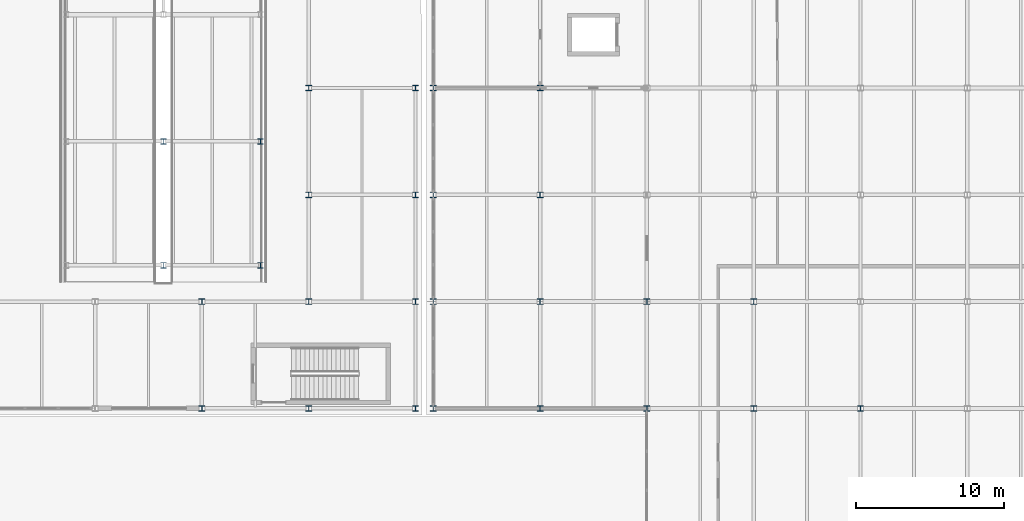
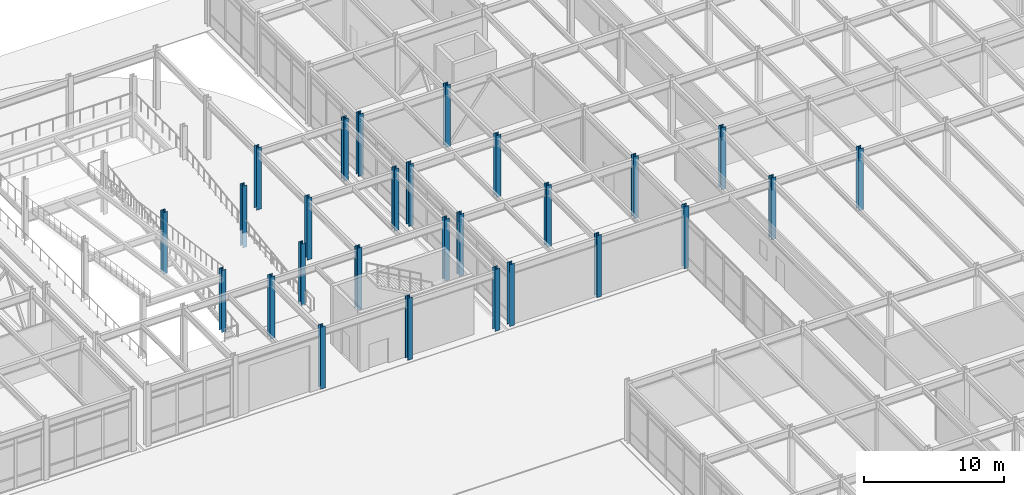
# One storey, part 15 of 104: 27 columns.
"""IFC4 building model written with IfcOpenShell, lengths in metres."""

from ifc_helpers import new_model, si_unit, direction, frame, origin, origin_2d, place, context, subcontext, project, spatial, i_section, extrude, material, material_profile, profile_set, type_object, element, save


model = new_model("IFC4")

# Units and contexts
model_context = context("Model", 3, precision=1e-05, world=origin(), true_north=direction((0.0, 1.0)))
body_context = subcontext(model_context, "Body", "Model", "MODEL_VIEW")
ifc_project = project(units=[si_unit("LENGTHUNIT", "METRE"), si_unit("AREAUNIT", "SQUARE_METRE"), si_unit("VOLUMEUNIT", "CUBIC_METRE"), si_unit("PLANEANGLEUNIT", "RADIAN"), si_unit("MASSUNIT", "GRAM", prefix="KILO")], contexts=[model_context])

# Site, building, storey
site_placement = place(None, origin())
site = spatial("IfcSite", under=ifc_project, at=site_placement, CompositionType="ELEMENT")
building_placement = place(site_placement, origin())
building = spatial("IfcBuilding", under=site, at=building_placement, Name="Vaelcorin Mobility Hub", CompositionType="ELEMENT")
storey_placement = place(building_placement, origin())
storey = spatial("IfcBuildingStorey", under=building, at=storey_placement, Name="L00", CompositionType="ELEMENT", Elevation=0.0)

# Columns
ifc_material = material(Name="Steel ASTM A992 Grade 50", Category="steel")
ifc_material_profile_1 = material_profile(ifc_material, i_section(OverallWidth=0.373046875, OverallDepth=0.373046875, WebThickness=0.016357421875, FlangeThickness=0.026123046875, FilletRadius=0.014892578125, at=origin_2d()), Name="W14X132")
ifc_profile_set_1 = profile_set([ifc_material_profile_1], Name="Steel ASTM A992 Grade 50")
column_type_1 = type_object("IfcColumnType", Name="COL-W14X132", PredefinedType="COLUMN", material=ifc_profile_set_1)
for number, where, z_axis, x_axis, name in (
    (1, (135.39990234375, 86.449951171875, 0.0), (0.0, 0.0, 1.0), (1.0, 0.0, 0.0), "Column V2E-RDRM-MS L00"),
    (2, (141.949951171875, 86.449951171875, 0.0), (0.0, 0.0, 1.0), (1.0, 0.0, 0.0), "Column V2E-RDRM-ES L00"),
    (3, (135.39990234375, 94.800048828125, 0.0), (0.0, 0.0, 1.0), (1.0, 0.0, 0.0), "Column V2E-RDRM-MC L00"),
    (4, (141.949951171875, 94.800048828125, 0.0), (0.0, 0.0, 1.0), (1.0, 0.0, 0.0), "Column V2E-RDRM-EC L00"),
):
    element("IfcColumn", number, at=place(storey_placement, frame(where, z_axis=z_axis, x_axis=x_axis)), inside=storey, type_object=column_type_1, Name=name, PredefinedType="COLUMN", context=body_context, shape_type="SweptSolid", body=[
        extrude(i_section(OverallWidth=0.373046875, OverallDepth=0.373046875, WebThickness=0.016357421875, FlangeThickness=0.026123046875, FilletRadius=0.014892578125, at=origin_2d()), origin(), (0.0, 0.0, 1.0), 5.39990234375),
    ])
ifc_material_profile_2 = material_profile(ifc_material, i_section(OverallWidth=0.39599609375, OverallDepth=0.381103515625, WebThickness=0.018798828125, FlangeThickness=0.0302734375, FilletRadius=0.014892578125, at=origin_2d()), Name="W14X159")
ifc_profile_set_2 = profile_set([ifc_material_profile_2], Name="Steel ASTM A992 Grade 50")
column_type_2 = type_object("IfcColumnType", Name="COL-W14X159", PredefinedType="COLUMN", material=ifc_profile_set_2)
for number, where, z_axis, x_axis, name in (
    (5, (138.0, 76.800048828125, 0.0), (0.0, 0.0, 1.0), (1.0, 0.0, 0.0), "Column V2E-G3x1 L00"),
    (6, (138.0, 84.0, 0.0), (0.0, 0.0, 1.0), (1.0, 0.0, 0.0), "Column V2E-G3x2 L00"),
    (7, (145.199951171875, 76.800048828125, 0.0), (0.0, 0.0, 1.0), (1.0, 0.0, 0.0), "Column V2E-G4x1 L00"),
    (8, (145.199951171875, 84.0, 0.0), (0.0, 0.0, 1.0), (1.0, 0.0, 0.0), "Column V2E-G4x2 L00"),
    (9, (145.199951171875, 91.199951171875, 0.0), (0.0, 0.0, 1.0), (1.0, 0.0, 0.0), "Column V2E-G4x3 L00"),
    (10, (145.199951171875, 98.39990234375, 0.0), (0.0, 0.0, 1.0), (1.0, 0.0, 0.0), "Column V2E-G4x4 L00"),
    (11, (152.39990234375, 76.800048828125, 0.0), (0.0, 0.0, 1.0), (1.0, 0.0, 0.0), "Column V2E-G5x1 L00"),
    (12, (152.39990234375, 84.0, 0.0), (0.0, 0.0, 1.0), (1.0, 0.0, 0.0), "Column V2E-G5x2 L00"),
    (13, (152.39990234375, 91.199951171875, 0.0), (0.0, 0.0, 1.0), (1.0, 0.0, 0.0), "Column V2E-G5x3 L00"),
    (14, (152.39990234375, 98.39990234375, 0.0), (0.0, 0.0, 1.0), (1.0, 0.0, 0.0), "Column V2E-G5x4 L00"),
    (15, (153.60009765625, 76.800048828125, 0.0), (0.0, 0.0, 1.0), (1.0, 0.0, 0.0), "Column V5-X01Y09 L00"),
    (16, (153.60009765625, 84.0, 0.0), (0.0, 0.0, 1.0), (1.0, 0.0, 0.0), "Column V5-X01Y10 L00"),
    (17, (153.60009765625, 91.199951171875, 0.0), (0.0, 0.0, 1.0), (1.0, 0.0, 0.0), "Column V5-X01Y11 L00"),
    (18, (153.60009765625, 98.39990234375, 0.0), (0.0, 0.0, 1.0), (1.0, 0.0, 0.0), "Column V5-X01Y12 L00"),
    (19, (160.800048828125, 76.800048828125, 0.0), (0.0, 0.0, 1.0), (1.0, 0.0, 0.0), "Column V5-X02Y09 L00"),
    (20, (160.800048828125, 84.0, 0.0), (0.0, 0.0, 1.0), (1.0, 0.0, 0.0), "Column V5-X02Y10 L00"),
    (21, (160.800048828125, 91.199951171875, 0.0), (0.0, 0.0, 1.0), (1.0, 0.0, 0.0), "Column V5-X02Y11 L00"),
    (22, (160.800048828125, 98.39990234375, 0.0), (0.0, 0.0, 1.0), (1.0, 0.0, 0.0), "Column V5-X02Y12 L00"),
    (23, (168.0, 76.800048828125, 0.0), (0.0, 0.0, 1.0), (1.0, 0.0, 0.0), "Column V5-X03Y09 L00"),
    (24, (168.0, 84.0, 0.0), (0.0, 0.0, 1.0), (1.0, 0.0, 0.0), "Column V5-X03Y10 L00"),
    (25, (175.199951171875, 76.800048828125, 0.0), (0.0, 0.0, 1.0), (1.0, 0.0, 0.0), "Column V5-X04Y09 L00"),
    (26, (175.199951171875, 84.0, 0.0), (0.0, 0.0, 1.0), (1.0, 0.0, 0.0), "Column V5-X04Y10 L00"),
    (27, (182.39990234375, 76.800048828125, 0.0), (0.0, 0.0, 1.0), (1.0, 0.0, 0.0), "Column V5-X05Y09 L00"),
):
    element("IfcColumn", number, at=place(storey_placement, frame(where, z_axis=z_axis, x_axis=x_axis)), inside=storey, type_object=column_type_2, Name=name, PredefinedType="COLUMN", context=body_context, shape_type="SweptSolid", body=[
        extrude(i_section(OverallWidth=0.39599609375, OverallDepth=0.381103515625, WebThickness=0.018798828125, FlangeThickness=0.0302734375, FilletRadius=0.014892578125, at=origin_2d()), origin(), (0.0, 0.0, 1.0), 5.39990234375),
    ])

save(model, "model.ifc")
